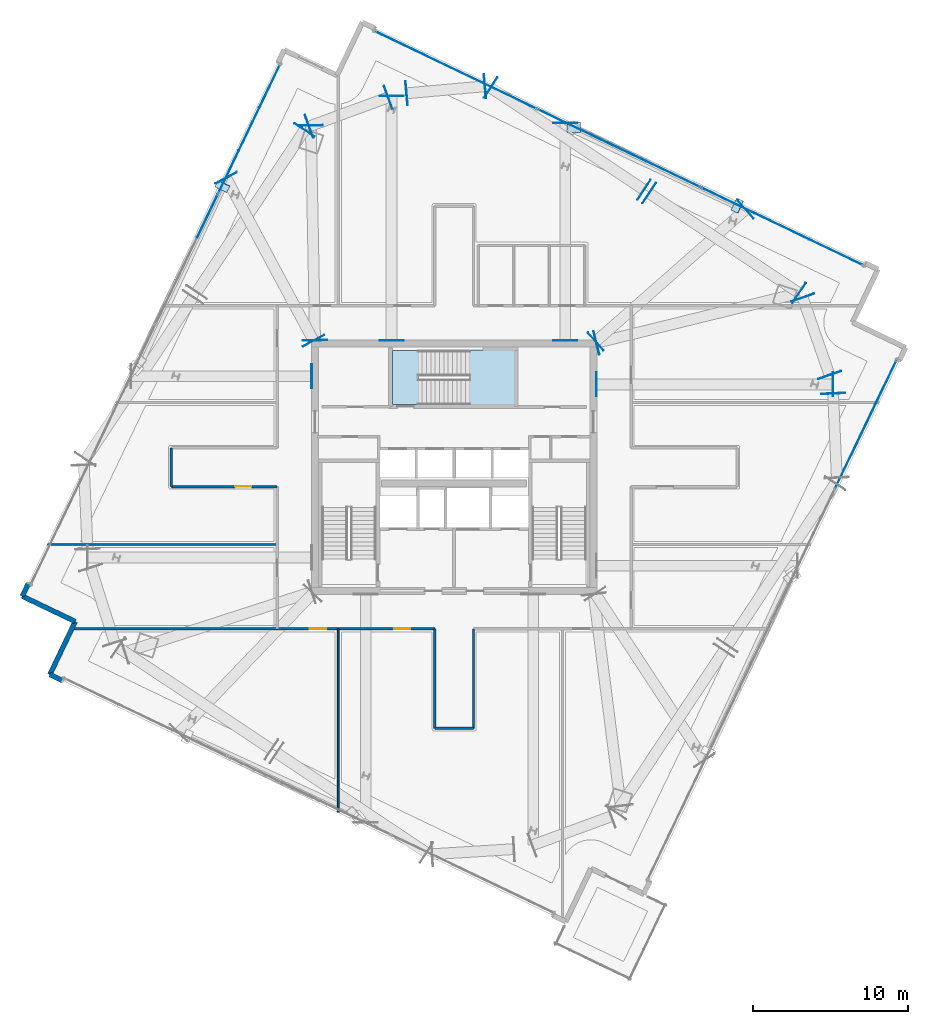
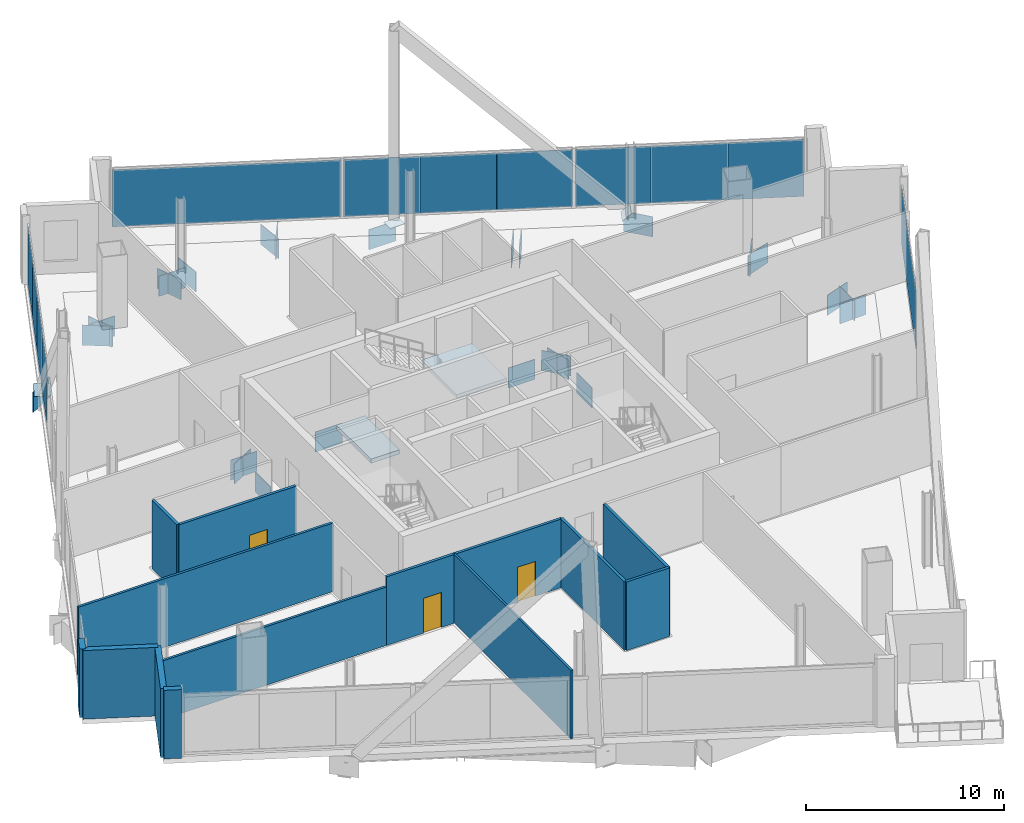
# One storey, part 16 of 24: 41 plates, 13 walls, 3 doors, 2 slabs, 3 openings, 4 elements without a shape of their own.
"""IFC4 building model written with IfcOpenShell, lengths in metres."""

from ifc_helpers import new_model, si_unit, direction, frame, frame_2d, origin, origin_2d, place, context, subcontext, project, spatial, polyline, rectangle, outline, extrude, source, transform, mapped, material, layer, layer_set, type_object, element, fill, aggregate, save


model = new_model("IFC4")

# Units and contexts
model_context = context("Model", 3, precision=1e-05, world=origin(), true_north=direction((0.0, 1.0)))
body_context = subcontext(model_context, "Body", "Model", "MODEL_VIEW")
ifc_project = project(units=[si_unit("LENGTHUNIT", "METRE"), si_unit("AREAUNIT", "SQUARE_METRE"), si_unit("VOLUMEUNIT", "CUBIC_METRE"), si_unit("PLANEANGLEUNIT", "RADIAN"), si_unit("MASSUNIT", "GRAM", prefix="KILO")], contexts=[model_context])

# Site, building, storey
site_placement = place(None, origin())
site = spatial("IfcSite", under=ifc_project, at=site_placement, CompositionType="ELEMENT")
building_placement = place(site_placement, origin())
building = spatial("IfcBuilding", under=site, at=building_placement, Name="Haldenkirk Collegiate Tower", CompositionType="ELEMENT")
storey_placement = place(building_placement, frame((0.0, 0.0, 244.199951171875)))
storey = spatial("IfcBuildingStorey", under=building, at=storey_placement, Name="L61", CompositionType="ELEMENT", Elevation=244.199951171875)

# Stair, slab
ifc_material_1 = material(Name="Concrete f'c 40 MPa", Category="concrete")
stair_type = type_object("IfcStairType", Name="STR-DOGLEG-1650", PredefinedType="HALF_TURN_STAIR", material=ifc_material_1)
stair_placement = place(storey_placement, origin())
stair = element("IfcStair", 1, at=stair_placement, inside=storey, type_object=stair_type, Name="L61 Core Exit Stair ST-3", PredefinedType="HALF_TURN_STAIR")
ifc_layer_1 = layer(ifc_material_1, 0.199951171875)
ifc_layer_set_1 = layer_set([ifc_layer_1], Name="Concrete f'c 40 MPa")
slab_type_1 = type_object("IfcSlabType", Name="SLB-LANDING-200", PredefinedType="LANDING", material=ifc_layer_set_1)
slab_1_placement = place(storey_placement, frame((0.0, 0.0, 2.050048828125)))
slab_1 = element("IfcSlab", 2, at=slab_1_placement, type_object=slab_type_1, Name="ST-3 landing 1", PredefinedType="LANDING", context=body_context, shape_type="SweptSolid", body=[
    extrude(outline(polyline([(36.985107421875, 30.02490234375), (36.985107421875, 33.574951171875), (39.925048828125, 33.574951171875), (39.925048828125, 30.02490234375), (36.985107421875, 30.02490234375)])), origin(), (0.0, 0.0, 1.0), 0.199951171875),
])
aggregate(stair, [slab_1])

# Slab
ifc_layer_2 = layer(ifc_material_1, 0.25)
ifc_layer_set_2 = layer_set([ifc_layer_2], Name="Concrete f'c 40 MPa")
slab_type_2 = type_object("IfcSlabType", Name="SLB-STAIRLAND-250", PredefinedType="LANDING", material=ifc_layer_set_2)
slab_2_placement = place(storey_placement, frame((0.0, 0.0, -0.25)))
element("IfcSlab", 3, at=slab_2_placement, inside=storey, type_object=slab_type_2, Name="L61 stair ST3 structural floor landing slab", PredefinedType="LANDING", context=body_context, shape_type="SweptSolid", body=[
    extrude(outline(polyline([(32.010009765625, 30.06005859375), (33.679931640625, 30.06005859375), (33.679931640625, 33.5400390625), (32.010009765625, 33.5400390625), (32.010009765625, 30.06005859375)])), origin(), (0.0, 0.0, 1.0), 0.25),
])

# Plates
ifc_material_2 = material(Name="Steel ASTM A572 Grade 50", Category="steel")
ifc_layer_3 = layer(ifc_material_2, 0.0400390625)
ifc_layer_set_3 = layer_set([ifc_layer_3], Name="Steel ASTM A572 Grade 50")
plate_type_1 = type_object("IfcPlateType", Name="PLT-CAP-MEGA-1240X980", PredefinedType="USERDEFINED", material=ifc_layer_set_3)
shared_shape_1 = source(origin(), body_context, "Body", "SweptSolid", [
    extrude(rectangle(XDim=1.56005859375, YDim=1.239990234375, at=origin_2d()), origin(), (0.0, 0.0, 1.0), 0.0400390625),
])
for number, where, z_axis, x_axis, name in (
    (4, (60.5146484375, 30.75146484375, -1.14990234375), (-0.044622995445, 0.999003898029, 0.0), (-0.999003898029, -0.044622995445, 0.0), "L61 sky-lobby perimeter transfer girder 04 end cap plate 2"),
    (5, (60.27880859375, 31.981689453125, -1.14990234375), (0.327809898111, -0.944743706357, 0.0), (0.944743706357, 0.327809898111, 0.0), "L61 sky-lobby perimeter transfer girder 05 end cap plate 1"),
    (6, (58.552978515625, 36.955810546875, -1.14990234375), (-0.327809898111, 0.944743706357, 0.0), (-0.944743706357, -0.327809898111, 0.0), "L61 sky-lobby perimeter transfer girder 05 end cap plate 2"),
    (7, (58.2978515625, 37.285400390625, -1.14990234375), (0.832436861246, -0.554119907637, 0.0), (0.554119907637, 0.832436861246, 0.0), "L61 sky-lobby perimeter transfer girder 06 end cap plate 1"),
    (8, (48.630615234375, 43.720458984375, -1.14990234375), (-0.832436861246, 0.554119907637, 0.0), (-0.554119907637, -0.832436861246, 0.0), "L61 sky-lobby perimeter transfer girder 06 end cap plate 2"),
    (9, (48.264404296875, 43.964111328125, -1.14990234375), (0.832436092926, -0.554121061857, 0.0), (0.554121061857, 0.832436092926, 0.0), "L61 sky-lobby perimeter transfer girder 07 end cap plate 1"),
    (10, (38.375732421875, 50.546630859375, -1.14990234375), (-0.832436092926, 0.554121061857, 0.0), (-0.554121061857, -0.832436092926, 0.0), "L61 sky-lobby perimeter transfer girder 07 end cap plate 2"),
    (11, (37.973388671875, 50.64892578125, -1.14990234375), (0.996004056334, 0.089308005051, 0.0), (-0.089308005051, 0.996004056334, 0.0), "L61 sky-lobby perimeter transfer girder 08 end cap plate 1"),
    (12, (32.938720703125, 50.197265625, -1.14990234375), (-0.996004056334, -0.089308005051, 0.0), (0.089308005051, -0.996004056334, 0.0), "L61 sky-lobby perimeter transfer girder 08 end cap plate 2"),
    (13, (31.7138671875, 49.9228515625, -1.14990234375), (0.938835099557, 0.344367036518, 0.0), (-0.344367036518, 0.938835099557, 0.0), "L61 sky-lobby perimeter transfer girder 09 end cap plate 1"),
    (14, (26.63427734375, 48.059326171875, -1.14990234375), (-0.938835099557, -0.344367036518, 0.0), (0.344367036518, -0.938835099557, 0.0), "L61 sky-lobby perimeter transfer girder 09 end cap plate 2"),
    (15, (26.305908203125, 47.80078125, -1.14990234375), (0.554121061857, 0.832436092926, 0.0), (-0.832436092926, 0.554121061857, 0.0), "L61 sky-lobby perimeter transfer girder 10 end cap plate 1"),
    (16, (45.226318359375, 34.0556640625, -1.14990234375), (-0.971156754291, -0.238441939673, 0.0), (0.238441939673, -0.971156754291, 0.0), "L61 sky-lobby radial transfer girder 02 end cap plate 2"),
    (17, (26.725341796875, 48.08984375, -1.14990234375), (-0.01950199645, 0.999809817983, 0.0), (-0.999809817983, -0.01950199645, 0.0), "L61 sky-lobby radial transfer girder 03 end cap plate 1"),
    (18, (26.995361328125, 34.23291015625, -1.14990234375), (0.01950199645, -0.999809817983, 0.0), (0.999809817983, 0.01950199645, 0.0), "L61 sky-lobby radial transfer girder 03 end cap plate 2"),
    (19, (60.484375, 31.360107421875, -1.14990234375), (1.0, 0.0, 0.0), (0.0, 1.0, 0.0), "L61 sky-lobby radial transfer girder 07 end cap plate 1"),
    (20, (45.23291015625, 31.360107421875, -1.14990234375), (-1.0, 0.0, 0.0), (0.0, -1.0, 0.0), "L61 sky-lobby radial transfer girder 07 end cap plate 2"),
    (21, (54.849853515625, 42.668701171875, -1.14990234375), (0.750685148326, 0.660660130538, 0.0), (-0.660660130538, 0.750685148326, 0.0), "L61 sky-lobby radial transfer girder 08 end cap plate 1"),
    (22, (45.175048828125, 34.154052734375, -1.14990234375), (-0.750685148326, -0.660660130538, 0.0), (0.660660130538, -0.750685148326, 0.0), "L61 sky-lobby radial transfer girder 08 end cap plate 2"),
    (23, (43.18994140625, 48.25537109375, -1.14990234375), (0.0, 1.0, 0.0), (-1.0, 0.0, 0.0), "L61 sky-lobby radial transfer girder 09 end cap plate 1"),
    (24, (43.18994140625, 34.23291015625, -1.14990234375), (0.0, -1.0, 0.0), (1.0, 0.0, 0.0), "L61 sky-lobby radial transfer girder 09 end cap plate 2"),
    (25, (31.949462890625, 50.006103515625, -1.14990234375), (0.0, 1.0, 0.0), (-1.0, 0.0, 0.0), "L61 sky-lobby radial transfer girder 10 end cap plate 1"),
    (26, (31.949462890625, 34.23291015625, -1.14990234375), (0.0, -1.0, 0.0), (1.0, 0.0, 0.0), "L61 sky-lobby radial transfer girder 10 end cap plate 2"),
    (27, (21.255126953125, 44.700439453125, -1.14990234375), (-0.473032102873, 0.881045191606, 0.0), (-0.881045191606, -0.473032102873, 0.0), "L61 sky-lobby radial transfer girder 11 end cap plate 1"),
    (28, (26.8896484375, 34.205078125, -1.14990234375), (0.473032102873, -0.881045191606, 0.0), (0.881045191606, 0.473032102873, 0.0), "L61 sky-lobby radial transfer girder 11 end cap plate 2"),
    (29, (26.76708984375, 31.8935546875, -1.14990234375), (1.0, 0.0, 0.0), (0.0, 1.0, 0.0), "L61 sky-lobby radial transfer girder 12 end cap plate 2"),
):
    element("IfcPlate", number, at=place(storey_placement, frame(where, z_axis=z_axis, x_axis=x_axis)), inside=storey, type_object=plate_type_1, Name=name, ObjectType="END CAP PLATE", PredefinedType="USERDEFINED", context=body_context, shape_type="MappedRepresentation", body=[
        mapped(shared_shape_1, transform((0.0, 0.0, 0.0), x_axis=(1.0, 0.0, 0.0), y_axis=(0.0, 1.0, 0.0), z_axis=(0.0, 0.0, 1.0), scale=1.0)),
    ])
ifc_layer_4 = layer(ifc_material_2, 0.034912109375)
ifc_layer_set_4 = layer_set([ifc_layer_4], Name="Steel ASTM A572 Grade 50")
plate_type_2 = type_object("IfcPlateType", Name="PLT-CAP-EXT-760X600", PredefinedType="USERDEFINED", material=ifc_layer_set_4)
shared_shape_2 = source(origin(), body_context, "Body", "SweptSolid", [
    extrude(rectangle(XDim=0.860107421875, YDim=0.659912109375, at=origin_2d()), origin(), (0.0, 0.0, 1.0), 0.034912109375),
])
for number, where, z_axis, x_axis, name in (
    (30, (54.309326171875, 42.930908203125, -0.407958984375), (0.630324808105, -0.294665910292, -0.718235781341), (0.423492771945, 0.905899482343, 4.24112e-07), "Perimeter Mega Brace Z5 L61-L63 EL end cap plate 1"),
    (31, (43.731201171875, 47.998779296875, -0.4072265625), (0.005383002371, 0.007625003358, -0.999956440356), (0.999985511538, -4.1046006e-05, 0.005382845878), "Perimeter Mega Brace Z5 L61-L63 ER end cap plate 1"),
    (32, (20.993408203125, 44.15966796875, -0.407958984375), (0.304192068022, 0.650800145529, -0.695648155558), (-0.905924098725, 0.4234401107, -5.6631e-08), "Perimeter Mega Brace Z5 L61-L63 NL end cap plate 1"),
):
    element("IfcPlate", number, at=place(storey_placement, frame(where, z_axis=z_axis, x_axis=x_axis)), inside=storey, type_object=plate_type_2, Name=name, ObjectType="END CAP PLATE", PredefinedType="USERDEFINED", context=body_context, shape_type="MappedRepresentation", body=[
        mapped(shared_shape_2, transform((0.0, 0.0, 0.0), x_axis=(1.0, 0.0, 0.0), y_axis=(0.0, 1.0, 0.0), z_axis=(0.0, 0.0, 1.0), scale=1.0)),
    ])

# Curtain wall, plate
ifc_material_3 = material(Name="Anodised architectural bronze aluminium", Category="aluminium")
curtain_wall_type = type_object("IfcCurtainWallType", Name="CW-SYS4-SKYGARDEN", PredefinedType="USERDEFINED", material=ifc_material_3)
curtain_wall_1_placement = place(storey_placement, origin())
curtain_wall_1 = element("IfcCurtainWall", 33, at=curtain_wall_1_placement, inside=storey, type_object=curtain_wall_type, Name="L61 Sky-garden tall bronze curtain wall", ObjectType="UNITISED CURTAIN WALL", PredefinedType="USERDEFINED")
ifc_material_4 = material(Name="Low-E argon triple insulating glass", Category="glass")
ifc_layer_5 = layer(ifc_material_4, 0.0458984375)
ifc_layer_set_5 = layer_set([ifc_layer_5], Name="Low-E argon triple insulating glass")
plate_type_3 = type_object("IfcPlateType", Name="CW-PNL-04", PredefinedType="CURTAIN_PANEL", material=ifc_layer_set_5)
shared_shape_3 = source(origin(), body_context, "Body", "SweptSolid", [
    extrude(rectangle(XDim=9.215087890625, YDim=0.0458984375, at=origin_2d()), origin(), (0.0, 0.0, 1.0), 3.508056640625),
])
plate_1_placement = place(storey_placement, frame((62.630126953125, 28.767822265625, 0.08984375), z_axis=(0.0, 0.0, 1.0), x_axis=(-0.43208276013, -0.901833958331, 0.0)))
plate_1 = element("IfcPlate", 34, at=plate_1_placement, type_object=plate_type_3, Name="CW-04 panel 1.1", PredefinedType="CURTAIN_PANEL", context=body_context, shape_type="MappedRepresentation", body=[
    mapped(shared_shape_3, transform((0.0, 0.0, 0.0), x_axis=(1.0, 0.0, 0.0), y_axis=(0.0, 1.0, 0.0), z_axis=(0.0, 0.0, 1.0), scale=1.0)),
])
aggregate(curtain_wall_1, [plate_1])

# Curtain wall, plates
curtain_wall_2_placement = place(storey_placement, origin())
curtain_wall_2 = element("IfcCurtainWall", 35, at=curtain_wall_2_placement, inside=storey, type_object=curtain_wall_type, Name="L61 Sky-garden tall bronze curtain wall", ObjectType="UNITISED CURTAIN WALL", PredefinedType="USERDEFINED")
ifc_material_5 = material(Name="Bronze-anodised insulated aluminium spandrel panel", Category="aluminium")
ifc_layer_6 = layer(ifc_material_5, 0.0458984375)
ifc_layer_set_6 = layer_set([ifc_layer_6], Name="Bronze-anodised insulated aluminium spandrel panel")
plate_type_4 = type_object("IfcPlateType", Name="CW-SPD-04", PredefinedType="CURTAIN_PANEL", material=ifc_layer_set_6)
shared_shape_4 = source(origin(), body_context, "Body", "SweptSolid", [
    extrude(rectangle(XDim=3.07421875, YDim=0.0458984375, at=origin_2d()), origin(), (0.0, 0.0, 1.0), 3.508056640625),
])
plate_2_placement = place(storey_placement, frame((20.0390625, 42.260498046875, 0.08984375), z_axis=(0.0, 0.0, 1.0), x_axis=(0.432083892841, 0.90183341563, 0.0)))
plate_2 = element("IfcPlate", 36, at=plate_2_placement, type_object=plate_type_4, Name="CW-04 spandrel panel 3.1c", PredefinedType="CURTAIN_PANEL", context=body_context, shape_type="MappedRepresentation", body=[
    mapped(shared_shape_4, transform((0.0, 0.0, 0.0), x_axis=(1.0, 0.0, 0.0), y_axis=(0.0, 1.0, 0.0), z_axis=(0.0, 0.0, 1.0), scale=1.0)),
])
shared_shape_5 = source(origin(), body_context, "Body", "SweptSolid", [
    extrude(rectangle(XDim=3.05908203125, YDim=0.0458984375, at=origin_2d()), origin(), (0.0, 0.0, 1.0), 3.508056640625),
])
plate_3_placement = place(storey_placement, frame((21.403076171875, 45.107421875, 0.08984375), z_axis=(0.0, 0.0, 1.0), x_axis=(0.432083892841, 0.90183341563, 0.0)))
plate_3 = element("IfcPlate", 37, at=plate_3_placement, type_object=plate_type_4, Name="CW-04 spandrel panel 4.1a", PredefinedType="CURTAIN_PANEL", context=body_context, shape_type="MappedRepresentation", body=[
    mapped(shared_shape_5, transform((0.0, 0.0, 0.0), x_axis=(1.0, 0.0, 0.0), y_axis=(0.0, 1.0, 0.0), z_axis=(0.0, 0.0, 1.0), scale=1.0)),
])
plate_4_placement = place(storey_placement, frame((24.06298828125, 50.658935546875, 0.08984375), z_axis=(0.0, 0.0, 1.0), x_axis=(0.432083892841, 0.90183341563, 0.0)))
plate_4 = element("IfcPlate", 38, at=plate_4_placement, type_object=plate_type_3, Name="CW-04 panel 4.1c", PredefinedType="CURTAIN_PANEL", context=body_context, shape_type="MappedRepresentation", body=[
    mapped(shared_shape_5, transform((0.0, 0.0, 0.0), x_axis=(1.0, 0.0, 0.0), y_axis=(0.0, 1.0, 0.0), z_axis=(0.0, 0.0, 1.0), scale=1.0)),
])
shared_shape_6 = source(origin(), body_context, "Body", "SweptSolid", [
    extrude(rectangle(XDim=3.046630859375, YDim=0.0458984375, at=origin_2d()), origin(), (0.0, 0.0, 1.0), 3.508056640625),
])
plate_5_placement = place(storey_placement, frame((22.73291015625, 47.88330078125, 0.08984375), z_axis=(0.0, 0.0, 1.0), x_axis=(0.432083892841, 0.90183341563, 0.0)))
plate_5 = element("IfcPlate", 39, at=plate_5_placement, type_object=plate_type_3, Name="CW-04 panel 4.1b", PredefinedType="CURTAIN_PANEL", context=body_context, shape_type="MappedRepresentation", body=[
    mapped(shared_shape_6, transform((0.0, 0.0, 0.0), x_axis=(1.0, 0.0, 0.0), y_axis=(0.0, 1.0, 0.0), z_axis=(0.0, 0.0, 1.0), scale=1.0)),
])
aggregate(curtain_wall_2, [plate_2, plate_3, plate_5, plate_4])

curtain_wall_3_placement = place(storey_placement, origin())
curtain_wall_3 = element("IfcCurtainWall", 40, at=curtain_wall_3_placement, inside=storey, type_object=curtain_wall_type, Name="L61 Sky-garden tall bronze curtain wall", ObjectType="UNITISED CURTAIN WALL", PredefinedType="USERDEFINED")
shared_shape_7 = source(origin(), body_context, "Body", "SweptSolid", [
    extrude(rectangle(XDim=11.598388671875, YDim=0.0458984375, at=origin_2d()), origin(), (0.0, 0.0, 1.0), 3.508056640625),
])
plate_6_placement = place(storey_placement, frame((36.10302734375, 51.6982421875, 0.08984375), z_axis=(0.0, 0.0, 1.0), x_axis=(0.90183323387, -0.432084272206, 0.0)))
plate_6 = element("IfcPlate", 41, at=plate_6_placement, type_object=plate_type_3, Name="CW-04 panel 1.1", PredefinedType="CURTAIN_PANEL", context=body_context, shape_type="MappedRepresentation", body=[
    mapped(shared_shape_7, transform((0.0, 0.0, 0.0), x_axis=(1.0, 0.0, 0.0), y_axis=(0.0, 1.0, 0.0), z_axis=(0.0, 0.0, 1.0), scale=1.0)),
])
shared_shape_8 = source(origin(), body_context, "Body", "SweptSolid", [
    extrude(rectangle(XDim=3.86865234375, YDim=0.0458984375, at=origin_2d()), origin(), (0.0, 0.0, 1.0), 3.508056640625),
])
plate_7_placement = place(storey_placement, frame((43.158447265625, 48.31787109375, 0.08984375), z_axis=(0.0, 0.0, 1.0), x_axis=(0.90183323387, -0.432084272206, 0.0)))
plate_7 = element("IfcPlate", 42, at=plate_7_placement, type_object=plate_type_4, Name="CW-04 spandrel panel 2.1a", PredefinedType="CURTAIN_PANEL", context=body_context, shape_type="MappedRepresentation", body=[
    mapped(shared_shape_8, transform((0.0, 0.0, 0.0), x_axis=(1.0, 0.0, 0.0), y_axis=(0.0, 1.0, 0.0), z_axis=(0.0, 0.0, 1.0), scale=1.0)),
])
plate_8_placement = place(storey_placement, frame((50.170166015625, 44.95849609375, 0.08984375), z_axis=(0.0, 0.0, 1.0), x_axis=(0.90183323387, -0.432084272206, 0.0)))
plate_8 = element("IfcPlate", 43, at=plate_8_placement, type_object=plate_type_4, Name="CW-04 spandrel panel 2.1c", PredefinedType="CURTAIN_PANEL", context=body_context, shape_type="MappedRepresentation", body=[
    mapped(shared_shape_8, transform((0.0, 0.0, 0.0), x_axis=(1.0, 0.0, 0.0), y_axis=(0.0, 1.0, 0.0), z_axis=(0.0, 0.0, 1.0), scale=1.0)),
])
shared_shape_9 = source(origin(), body_context, "Body", "SweptSolid", [
    extrude(rectangle(XDim=3.856201171875, YDim=0.0458984375, at=origin_2d()), origin(), (0.0, 0.0, 1.0), 3.508056640625),
])
plate_9_placement = place(storey_placement, frame((46.664306640625, 46.63818359375, 0.08984375), z_axis=(0.0, 0.0, 1.0), x_axis=(0.90183323387, -0.432084272206, 0.0)))
plate_9 = element("IfcPlate", 44, at=plate_9_placement, type_object=plate_type_3, Name="CW-04 panel 2.1b", PredefinedType="CURTAIN_PANEL", context=body_context, shape_type="MappedRepresentation", body=[
    mapped(shared_shape_9, transform((0.0, 0.0, 0.0), x_axis=(1.0, 0.0, 0.0), y_axis=(0.0, 1.0, 0.0), z_axis=(0.0, 0.0, 1.0), scale=1.0)),
])
shared_shape_10 = source(origin(), body_context, "Body", "SweptSolid", [
    extrude(rectangle(XDim=3.853515625, YDim=0.0458984375, at=origin_2d()), origin(), (0.0, 0.0, 1.0), 3.508056640625),
])
plate_10_placement = place(storey_placement, frame((53.7333984375, 43.251220703125, 0.08984375), z_axis=(0.0, 0.0, 1.0), x_axis=(0.90183323387, -0.432084272206, 0.0)))
plate_10 = element("IfcPlate", 45, at=plate_10_placement, type_object=plate_type_4, Name="CW-04 spandrel panel 3.1a", PredefinedType="CURTAIN_PANEL", context=body_context, shape_type="MappedRepresentation", body=[
    mapped(shared_shape_10, transform((0.0, 0.0, 0.0), x_axis=(1.0, 0.0, 0.0), y_axis=(0.0, 1.0, 0.0), z_axis=(0.0, 0.0, 1.0), scale=1.0)),
])
plate_11_placement = place(storey_placement, frame((60.7177734375, 39.90478515625, 0.08984375), z_axis=(0.0, 0.0, 1.0), x_axis=(0.90183323387, -0.432084272206, 0.0)))
plate_11 = element("IfcPlate", 46, at=plate_11_placement, type_object=plate_type_3, Name="CW-04 panel 3.1c", PredefinedType="CURTAIN_PANEL", context=body_context, shape_type="MappedRepresentation", body=[
    mapped(shared_shape_10, transform((0.0, 0.0, 0.0), x_axis=(1.0, 0.0, 0.0), y_axis=(0.0, 1.0, 0.0), z_axis=(0.0, 0.0, 1.0), scale=1.0)),
])
shared_shape_11 = source(origin(), body_context, "Body", "SweptSolid", [
    extrude(rectangle(XDim=3.841064453125, YDim=0.0458984375, at=origin_2d()), origin(), (0.0, 0.0, 1.0), 3.508056640625),
])
plate_12_placement = place(storey_placement, frame((57.2255859375, 41.577880859375, 0.08984375), z_axis=(0.0, 0.0, 1.0), x_axis=(0.90183323387, -0.432084272206, 0.0)))
plate_12 = element("IfcPlate", 47, at=plate_12_placement, type_object=plate_type_3, Name="CW-04 panel 3.1b", PredefinedType="CURTAIN_PANEL", context=body_context, shape_type="MappedRepresentation", body=[
    mapped(shared_shape_11, transform((0.0, 0.0, 0.0), x_axis=(1.0, 0.0, 0.0), y_axis=(0.0, 1.0, 0.0), z_axis=(0.0, 0.0, 1.0), scale=1.0)),
])
aggregate(curtain_wall_3, [plate_6, plate_7, plate_9, plate_8, plate_10, plate_12, plate_11])

# Walls
ifc_material_6 = material(Name="Precast concrete f'c 40 MPa", Category="concrete")
ifc_layer_7 = layer(ifc_material_6, 0.320068359375)
ifc_layer_set_7 = layer_set([ifc_layer_7], Name="Precast concrete f'c 40 MPa")
wall_type_1 = type_object("IfcWallType", Name="WL-EXT-TWR-320", PredefinedType="STANDARD", material=ifc_layer_set_7)
wall_1_placement = place(storey_placement, frame((8.051513671875, 17.656982421875, 0.0), z_axis=(0.0, 0.0, 1.0), x_axis=(0.432069629268, 0.901840249414, 0.0)))
element("IfcWall", 48, at=wall_1_placement, inside=storey, type_object=wall_type_1, Name="L61 precast corner pier NL", PredefinedType="STANDARD", context=body_context, shape_type="SweptSolid", body=[
    extrude(rectangle(XDim=0.900146484375, YDim=0.320068359375, at=frame_2d((0.4501953125, 0.0))), origin(), (0.0, 0.0, 1.0), 4.22998046875),
])
for number, where, z_axis, x_axis, name in (
    (49, (11.478515625, 16.01513671875, 0.0), (0.0, 0.0, 1.0), (-0.901842628624, 0.432064663211, 0.0), "L61 bronze precast notch wall 08"),
    (50, (9.836669921875, 12.588134765625, 0.0), (0.0, 0.0, 1.0), (0.432064663211, 0.901842628624, 0.0), "L61 bronze precast notch wall 09"),
):
    element("IfcWall", number, at=place(storey_placement, frame(where, z_axis=z_axis, x_axis=x_axis)), inside=storey, type_object=wall_type_1, Name=name, PredefinedType="STANDARD", context=body_context, shape_type="SweptSolid", body=[
        extrude(rectangle(XDim=3.800048828125, YDim=0.320068359375, at=frame_2d((1.89990234375, 0.0))), origin(), (0.0, 0.0, 1.0), 4.22998046875),
    ])
wall_2_placement = place(storey_placement, frame((10.648193359375, 12.19921875, 0.0), z_axis=(0.0, 0.0, 1.0), x_axis=(-0.901789596457, 0.432175339096, 0.0)))
element("IfcWall", 51, at=wall_2_placement, inside=storey, type_object=wall_type_1, Name="L61 precast corner pier WR", PredefinedType="STANDARD", context=body_context, shape_type="SweptSolid", body=[
    extrude(rectangle(XDim=0.89990234375, YDim=0.320068359375, at=frame_2d((0.449951171875, 0.0))), origin(), (0.0, 0.0, 1.0), 4.22998046875),
])

# Wall, openings, doors
ifc_material_7 = material(Name="Acoustic fire-rated gypsum partition", Category="concrete")
ifc_layer_8 = layer(ifc_material_7, 0.159912109375)
ifc_layer_set_8 = layer_set([ifc_layer_8], Name="Acoustic fire-rated gypsum partition")
wall_type_2 = type_object("IfcWallType", Name="WL-INT-CORR-160", PredefinedType="PARTITIONING", material=ifc_layer_set_8)
wall_3_placement = place(storey_placement, frame((24.5, 15.550048828125, 0.0), z_axis=(0.0, 0.0, 1.0), x_axis=(1.0, 0.0, 0.0)))
wall_3 = element("IfcWall", 52, at=wall_3_placement, inside=storey, type_object=wall_type_2, Name="L61 interior partition IW-L61-CS1", PredefinedType="PARTITIONING", context=body_context, shape_type="SweptSolid", body=[
    extrude(rectangle(XDim=10.25, YDim=0.159912109375, at=frame_2d((5.125, 0.0))), origin(), (0.0, 0.0, 1.0), 4.22998046875),
])
opening_1_placement = place(wall_3_placement, frame((2.160888671875, 0.0, 0.0)))
opening_1 = element("IfcOpeningElement", 53, at=opening_1_placement, cuts=wall_3, Name="Opening D-09", PredefinedType="OPENING", context=body_context, shape_type="SweptSolid", body=[
    extrude(rectangle(XDim=1.050048828125, YDim=2.14990234375, at=frame_2d((0.52490234375, 1.074951171875))), frame((0.0, 0.08984375, 0.0), z_axis=(0.0, -1.0, 0.0), x_axis=(1.0, 0.0, 0.0)), (0.0, 0.0, 1.0), 0.179931640625),
])
opening_2_placement = place(wall_3_placement, frame((7.618896484375, 0.0, 0.0)))
opening_2 = element("IfcOpeningElement", 54, at=opening_2_placement, cuts=wall_3, Name="Opening D-09", PredefinedType="OPENING", context=body_context, shape_type="SweptSolid", body=[
    extrude(rectangle(XDim=1.050048828125, YDim=2.14990234375, at=frame_2d((0.52490234375, 1.074951171875))), frame((0.0, 0.08984375, 0.0), z_axis=(0.0, -1.0, 0.0), x_axis=(1.0, 0.0, 0.0)), (0.0, 0.0, 1.0), 0.179931640625),
])
ifc_material_8 = material(Name="Solid-core architectural oak fire door", Category="wood")
ifc_layer_9 = layer(ifc_material_8, 0.06005859375)
ifc_layer_set_9 = layer_set([ifc_layer_9], Name="Solid-core architectural oak fire door")
door_type = type_object("IfcDoorType", Name="DR-INT-FD60-1050", OperationType="NOTDEFINED", PredefinedType="DOOR", material=ifc_layer_set_9)
door_1_placement = place(opening_1_placement, origin())
door_1 = element("IfcDoor", 55, at=door_1_placement, inside=storey, type_object=door_type, Name="L61 Sky-Garden Botanical Conservatory door", OperationType="SINGLE_SWING_LEFT", OverallHeight=2.14990234375, OverallWidth=1.050048828125, PredefinedType="DOOR", context=body_context, shape_type="SweptSolid", body=[
    extrude(rectangle(XDim=1.050048828125, YDim=2.14990234375, at=frame_2d((0.52490234375, 1.074951171875))), frame((0.0, 0.02490234375, 0.0), z_axis=(0.0, -1.0, 0.0), x_axis=(1.0, 0.0, 0.0)), (0.0, 0.0, 1.0), 0.050048828125),
])
fill(opening_1, door_1)
door_2_placement = place(opening_2_placement, origin())
door_2 = element("IfcDoor", 56, at=door_2_placement, inside=storey, type_object=door_type, Name="L61 Senior Fellow Office 2 door", OperationType="SINGLE_SWING_RIGHT", OverallHeight=2.14990234375, OverallWidth=1.050048828125, PredefinedType="DOOR", context=body_context, shape_type="SweptSolid", body=[
    extrude(rectangle(XDim=1.050048828125, YDim=2.14990234375, at=frame_2d((0.52490234375, 1.074951171875))), frame((0.0, 0.02490234375, 0.0), z_axis=(0.0, -1.0, 0.0), x_axis=(1.0, 0.0, 0.0)), (0.0, 0.0, 1.0), 0.050048828125),
])
fill(opening_2, door_2)

# Walls
for number, where, z_axis, x_axis, name in (
    (57, (34.75, 9.10009765625, 0.0), (0.0, 0.0, 1.0), (0.0, 1.0, 0.0), "L61 interior partition IW-L61-SPW"),
    (58, (37.25, 9.10009765625, 0.0), (0.0, 0.0, 1.0), (0.0, 1.0, 0.0), "L61 interior partition IW-L61-SPE"),
):
    element("IfcWall", number, at=place(storey_placement, frame(where, z_axis=z_axis, x_axis=x_axis)), inside=storey, type_object=wall_type_2, Name=name, PredefinedType="PARTITIONING", context=body_context, shape_type="SweptSolid", body=[
        extrude(rectangle(XDim=6.449951171875, YDim=0.159912109375, at=frame_2d((3.22509765625, 0.0))), origin(), (0.0, 0.0, 1.0), 4.22998046875),
    ])
wall_4_placement = place(storey_placement, frame((34.75, 9.10009765625, 0.0), z_axis=(0.0, 0.0, 1.0), x_axis=(1.0, 0.0, 0.0)))
element("IfcWall", 59, at=wall_4_placement, inside=storey, type_object=wall_type_2, Name="L61 interior partition IW-L61-SPS", PredefinedType="PARTITIONING", context=body_context, shape_type="SweptSolid", body=[
    extrude(rectangle(XDim=2.5, YDim=0.159912109375, at=frame_2d((1.25, 0.0))), origin(), (0.0, 0.0, 1.0), 4.22998046875),
])

# Wall, opening, door
wall_5_placement = place(storey_placement, frame((17.699951171875, 24.75, 0.0), z_axis=(0.0, 0.0, 1.0), x_axis=(1.0, 0.0, 0.0)))
wall_5 = element("IfcWall", 60, at=wall_5_placement, inside=storey, type_object=wall_type_2, Name="L61 interior partition IW-L61-WPS", PredefinedType="PARTITIONING", context=body_context, shape_type="SweptSolid", body=[
    extrude(rectangle(XDim=6.85009765625, YDim=0.159912109375, at=frame_2d((3.425048828125, 0.0))), origin(), (0.0, 0.0, 1.0), 4.22998046875),
])
opening_3_placement = place(wall_5_placement, frame((4.133056640625, 0.0, 0.0)))
opening_3 = element("IfcOpeningElement", 61, at=opening_3_placement, cuts=wall_5, Name="Opening D-09", PredefinedType="OPENING", context=body_context, shape_type="SweptSolid", body=[
    extrude(rectangle(XDim=1.050048828125, YDim=2.14990234375, at=frame_2d((0.52490234375, 1.074951171875))), frame((0.0, 0.08984375, 0.0), z_axis=(0.0, -1.0, 0.0), x_axis=(1.0, 0.0, 0.0)), (0.0, 0.0, 1.0), 0.179931640625),
])
door_3_placement = place(opening_3_placement, origin())
door_3 = element("IfcDoor", 62, at=door_3_placement, inside=storey, type_object=door_type, Name="L61 Faculty Office 7 door", OperationType="SINGLE_SWING_LEFT", OverallHeight=2.14990234375, OverallWidth=1.050048828125, PredefinedType="DOOR", context=body_context, shape_type="SweptSolid", body=[
    extrude(rectangle(XDim=1.050048828125, YDim=2.14990234375, at=frame_2d((0.52490234375, 1.074951171875))), frame((0.0, 0.02490234375, 0.0), z_axis=(0.0, -1.0, 0.0), x_axis=(1.0, 0.0, 0.0)), (0.0, 0.0, 1.0), 0.050048828125),
])
fill(opening_3, door_3)

# Walls
wall_6_placement = place(storey_placement, frame((17.699951171875, 24.75, 0.0), z_axis=(0.0, 0.0, 1.0), x_axis=(0.0, 1.0, 0.0)))
element("IfcWall", 63, at=wall_6_placement, inside=storey, type_object=wall_type_2, Name="L61 interior partition IW-L61-WPW", PredefinedType="PARTITIONING", context=body_context, shape_type="SweptSolid", body=[
    extrude(rectangle(XDim=2.5, YDim=0.159912109375, at=frame_2d((1.25, 0.0))), origin(), (0.0, 0.0, 1.0), 4.22998046875),
])
ifc_layer_10 = layer(ifc_material_7, 0.139892578125)
ifc_layer_set_10 = layer_set([ifc_layer_10], Name="Acoustic fire-rated gypsum partition")
wall_type_3 = type_object("IfcWallType", Name="WL-INT-DIV-140", PredefinedType="PARTITIONING", material=ifc_layer_set_10)
wall_7_placement = place(storey_placement, frame((11.300048828125, 15.550048828125, 0.0), z_axis=(0.0, 0.0, 1.0), x_axis=(1.0, 0.0, 0.0)))
element("IfcWall", 64, at=wall_7_placement, inside=storey, type_object=wall_type_3, Name="L61 interior partition IW-L61-BWS", PredefinedType="PARTITIONING", context=body_context, shape_type="SweptSolid", body=[
    extrude(rectangle(XDim=13.25, YDim=0.139892578125, at=frame_2d((6.625, 0.0))), origin(), (0.0, 0.0, 1.0), 3.608154296875),
])
wall_8_placement = place(storey_placement, frame((9.697509765625, 21.0, 0.0), z_axis=(0.0, 0.0, 1.0), x_axis=(1.0, 0.0, 0.0)))
element("IfcWall", 65, at=wall_8_placement, inside=storey, type_object=wall_type_3, Name="L61 interior partition IW-L61-RW1", PredefinedType="PARTITIONING", context=body_context, shape_type="SweptSolid", body=[
    extrude(rectangle(XDim=14.8525390625, YDim=0.139892578125, at=frame_2d((7.42626953125, 0.0))), origin(), (0.0, 0.0, 1.0), 4.22998046875),
])
ifc_layer_11 = layer(ifc_material_7, 0.1201171875)
ifc_layer_set_11 = layer_set([ifc_layer_11], Name="Acoustic fire-rated gypsum partition")
wall_type_4 = type_object("IfcWallType", Name="WL-INT-WET-120", PredefinedType="PARTITIONING", material=ifc_layer_set_11)
wall_9_placement = place(storey_placement, frame((28.5, 3.690673828125, 0.0), z_axis=(0.0, 0.0, 1.0), x_axis=(0.0, 1.0, 0.0)))
element("IfcWall", 66, at=wall_9_placement, inside=storey, type_object=wall_type_4, Name="L61 interior partition IW-L61-RS1", PredefinedType="PARTITIONING", context=body_context, shape_type="SweptSolid", body=[
    extrude(rectangle(XDim=11.859375, YDim=0.1201171875, at=frame_2d((5.9296875, 0.0))), origin(), (0.0, 0.0, 1.0), 4.22998046875),
])

save(model, "model.ifc")
